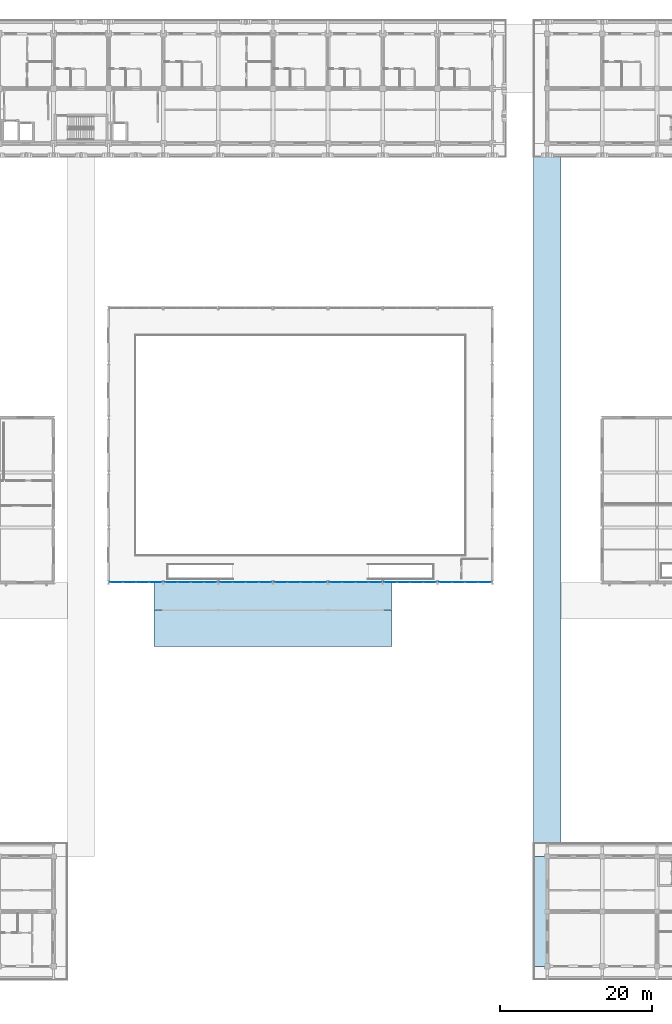
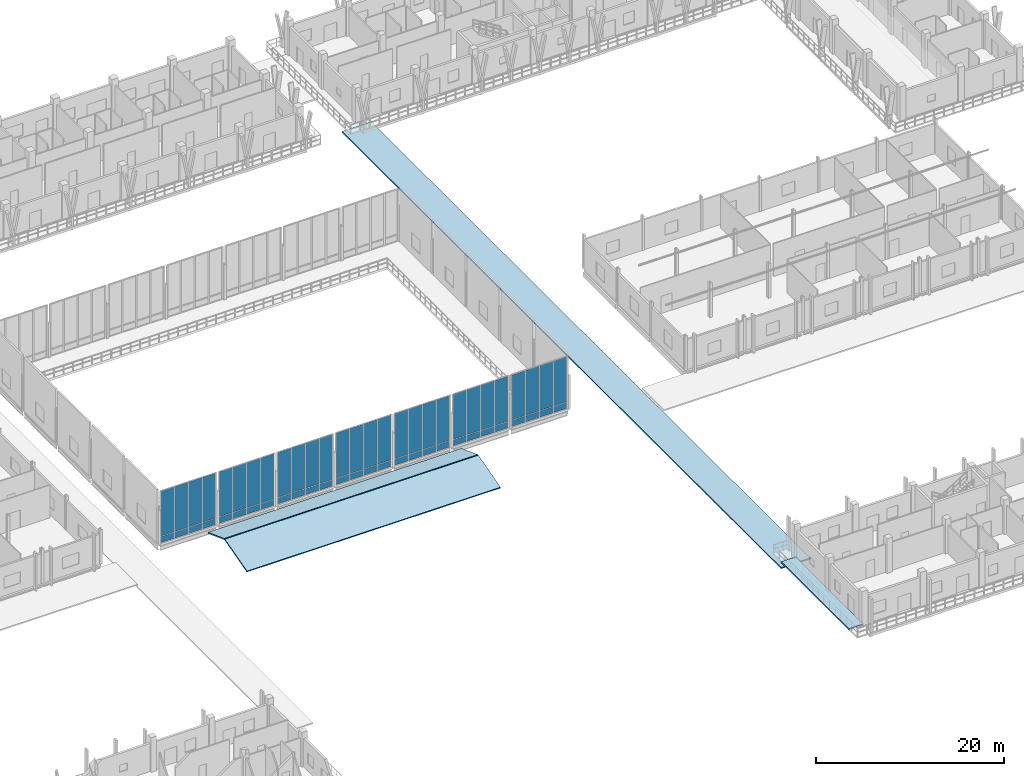
# One storey, part 57 of 110: 56 plates, 4 slabs, 7 elements without a shape of their own.
"""IFC4 building model written with IfcOpenShell, lengths in metres."""

from ifc_helpers import new_model, si_unit, direction, frame, origin, origin_2d, place, context, subcontext, project, spatial, polyline, rectangle, outline, extrude, material, layer, layer_set, type_object, element, aggregate, save


model = new_model("IFC4")

# Units and contexts
model_context = context("Model", 3, precision=1e-05, world=origin(), true_north=direction((0.0, 1.0)))
body_context = subcontext(model_context, "Body", "Model", "MODEL_VIEW")
ifc_project = project(units=[si_unit("LENGTHUNIT", "METRE"), si_unit("AREAUNIT", "SQUARE_METRE"), si_unit("VOLUMEUNIT", "CUBIC_METRE"), si_unit("PLANEANGLEUNIT", "RADIAN"), si_unit("MASSUNIT", "GRAM", prefix="KILO")], contexts=[model_context])

# Site, building, storey
site_placement = place(None, origin())
site = spatial("IfcSite", under=ifc_project, at=site_placement, CompositionType="ELEMENT")
building_placement = place(site_placement, origin())
building = spatial("IfcBuilding", under=site, at=building_placement, Name="Suanplinth Sawtooth Commons", CompositionType="ELEMENT")
storey_placement = place(building_placement, frame((0.0, 0.0, 4.5)))
storey = spatial("IfcBuildingStorey", under=building, at=storey_placement, Name="L01", CompositionType="ELEMENT", Elevation=4.5)

# Curtain wall, plates
ifc_material_1 = material(Name="Anodized aluminium and low-E glazing", Category="aluminium")
curtain_wall_type = type_object("IfcCurtainWallType", Name="CW-01", PredefinedType="USERDEFINED", material=ifc_material_1)
curtain_wall_1_placement = place(storey_placement, origin())
curtain_wall_1 = element("IfcCurtainWall", 1, at=curtain_wall_1_placement, inside=storey, type_object=curtain_wall_type, Name="Curtain Wall CW-L01-HALL-S-1", ObjectType="CURTAIN WALL", PredefinedType="USERDEFINED")
ifc_material_2 = material(Name="Laminated solar-control acoustic glazing", Category="glass")
ifc_layer_1 = layer(ifc_material_2, 0.031982421875, Name="Acoustic laminated vision glazing panel 32mm")
ifc_layer_set_1 = layer_set([ifc_layer_1], Name="Laminated solar-control acoustic glazing")
plate_type_1 = type_object("IfcPlateType", Name="PL-06", PredefinedType="CURTAIN_PANEL", material=ifc_layer_set_1)
plate_1_placement = place(storey_placement, frame((73.03125, 50.39990234375, 0.074951171875), z_axis=(0.0, 0.0, 1.0), x_axis=(1.0, 0.0, 0.0)))
plate_1 = element("IfcPlate", 2, at=plate_1_placement, type_object=plate_type_1, Name="CW-01 panel 1.1", PredefinedType="CURTAIN_PANEL", context=body_context, shape_type="SweptSolid", body=[
    extrude(rectangle(XDim=1.612548828125, YDim=0.031982421875, at=origin_2d()), origin(), (0.0, 0.0, 1.0), 0.78759765625),
])
plate_2_placement = place(storey_placement, frame((73.03125, 50.39990234375, 0.9375), z_axis=(0.0, 0.0, 1.0), x_axis=(1.0, 0.0, 0.0)))
plate_2 = element("IfcPlate", 3, at=plate_2_placement, type_object=plate_type_1, Name="CW-01 panel 1.2", PredefinedType="CURTAIN_PANEL", context=body_context, shape_type="SweptSolid", body=[
    extrude(rectangle(XDim=1.612548828125, YDim=0.031982421875, at=origin_2d()), origin(), (0.0, 0.0, 1.0), 5.83740234375),
])
plate_3_placement = place(storey_placement, frame((74.737548828125, 50.39990234375, 0.074951171875), z_axis=(0.0, 0.0, 1.0), x_axis=(1.0, 0.0, 0.0)))
plate_3 = element("IfcPlate", 4, at=plate_3_placement, type_object=plate_type_1, Name="CW-01 panel 2.1", PredefinedType="CURTAIN_PANEL", context=body_context, shape_type="SweptSolid", body=[
    extrude(rectangle(XDim=1.64990234375, YDim=0.031982421875, at=origin_2d()), origin(), (0.0, 0.0, 1.0), 0.78759765625),
])
plate_4_placement = place(storey_placement, frame((74.737548828125, 50.39990234375, 0.9375), z_axis=(0.0, 0.0, 1.0), x_axis=(1.0, 0.0, 0.0)))
plate_4 = element("IfcPlate", 5, at=plate_4_placement, type_object=plate_type_1, Name="CW-01 panel 2.2", PredefinedType="CURTAIN_PANEL", context=body_context, shape_type="SweptSolid", body=[
    extrude(rectangle(XDim=1.64990234375, YDim=0.031982421875, at=origin_2d()), origin(), (0.0, 0.0, 1.0), 5.83740234375),
])
plate_5_placement = place(storey_placement, frame((76.46240234375, 50.39990234375, 0.074951171875), z_axis=(0.0, 0.0, 1.0), x_axis=(1.0, 0.0, 0.0)))
plate_5 = element("IfcPlate", 6, at=plate_5_placement, type_object=plate_type_1, Name="CW-01 panel 3.1", PredefinedType="CURTAIN_PANEL", context=body_context, shape_type="SweptSolid", body=[
    extrude(rectangle(XDim=1.64990234375, YDim=0.031982421875, at=origin_2d()), origin(), (0.0, 0.0, 1.0), 0.78759765625),
])
plate_6_placement = place(storey_placement, frame((76.46240234375, 50.39990234375, 0.9375), z_axis=(0.0, 0.0, 1.0), x_axis=(1.0, 0.0, 0.0)))
plate_6 = element("IfcPlate", 7, at=plate_6_placement, type_object=plate_type_1, Name="CW-01 panel 3.2", PredefinedType="CURTAIN_PANEL", context=body_context, shape_type="SweptSolid", body=[
    extrude(rectangle(XDim=1.64990234375, YDim=0.031982421875, at=origin_2d()), origin(), (0.0, 0.0, 1.0), 5.83740234375),
])
plate_7_placement = place(storey_placement, frame((78.168701171875, 50.39990234375, 0.074951171875), z_axis=(0.0, 0.0, 1.0), x_axis=(1.0, 0.0, 0.0)))
plate_7 = element("IfcPlate", 8, at=plate_7_placement, type_object=plate_type_1, Name="CW-01 panel 4.1", PredefinedType="CURTAIN_PANEL", context=body_context, shape_type="SweptSolid", body=[
    extrude(rectangle(XDim=1.612548828125, YDim=0.031982421875, at=origin_2d()), origin(), (0.0, 0.0, 1.0), 0.78759765625),
])
plate_8_placement = place(storey_placement, frame((78.168701171875, 50.39990234375, 0.9375), z_axis=(0.0, 0.0, 1.0), x_axis=(1.0, 0.0, 0.0)))
plate_8 = element("IfcPlate", 9, at=plate_8_placement, type_object=plate_type_1, Name="CW-01 panel 4.2", PredefinedType="CURTAIN_PANEL", context=body_context, shape_type="SweptSolid", body=[
    extrude(rectangle(XDim=1.612548828125, YDim=0.031982421875, at=origin_2d()), origin(), (0.0, 0.0, 1.0), 5.83740234375),
])
aggregate(curtain_wall_1, [plate_1, plate_2, plate_3, plate_4, plate_5, plate_6, plate_7, plate_8])

curtain_wall_2_placement = place(storey_placement, origin())
curtain_wall_2 = element("IfcCurtainWall", 10, at=curtain_wall_2_placement, inside=storey, type_object=curtain_wall_type, Name="Curtain Wall CW-L01-HALL-S-2", ObjectType="CURTAIN WALL", PredefinedType="USERDEFINED")
plate_9_placement = place(storey_placement, frame((80.231201171875, 50.39990234375, 0.074951171875), z_axis=(0.0, 0.0, 1.0), x_axis=(1.0, 0.0, 0.0)))
plate_9 = element("IfcPlate", 11, at=plate_9_placement, type_object=plate_type_1, Name="CW-01 panel 1.1", PredefinedType="CURTAIN_PANEL", context=body_context, shape_type="SweptSolid", body=[
    extrude(rectangle(XDim=1.612548828125, YDim=0.031982421875, at=origin_2d()), origin(), (0.0, 0.0, 1.0), 0.78759765625),
])
plate_10_placement = place(storey_placement, frame((80.231201171875, 50.39990234375, 0.9375), z_axis=(0.0, 0.0, 1.0), x_axis=(1.0, 0.0, 0.0)))
plate_10 = element("IfcPlate", 12, at=plate_10_placement, type_object=plate_type_1, Name="CW-01 panel 1.2", PredefinedType="CURTAIN_PANEL", context=body_context, shape_type="SweptSolid", body=[
    extrude(rectangle(XDim=1.612548828125, YDim=0.031982421875, at=origin_2d()), origin(), (0.0, 0.0, 1.0), 5.83740234375),
])
plate_11_placement = place(storey_placement, frame((81.9375, 50.39990234375, 0.074951171875), z_axis=(0.0, 0.0, 1.0), x_axis=(1.0, 0.0, 0.0)))
plate_11 = element("IfcPlate", 13, at=plate_11_placement, type_object=plate_type_1, Name="CW-01 panel 2.1", PredefinedType="CURTAIN_PANEL", context=body_context, shape_type="SweptSolid", body=[
    extrude(rectangle(XDim=1.64990234375, YDim=0.031982421875, at=origin_2d()), origin(), (0.0, 0.0, 1.0), 0.78759765625),
])
plate_12_placement = place(storey_placement, frame((81.9375, 50.39990234375, 0.9375), z_axis=(0.0, 0.0, 1.0), x_axis=(1.0, 0.0, 0.0)))
plate_12 = element("IfcPlate", 14, at=plate_12_placement, type_object=plate_type_1, Name="CW-01 panel 2.2", PredefinedType="CURTAIN_PANEL", context=body_context, shape_type="SweptSolid", body=[
    extrude(rectangle(XDim=1.64990234375, YDim=0.031982421875, at=origin_2d()), origin(), (0.0, 0.0, 1.0), 5.83740234375),
])
plate_13_placement = place(storey_placement, frame((83.66259765625, 50.39990234375, 0.074951171875), z_axis=(0.0, 0.0, 1.0), x_axis=(1.0, 0.0, 0.0)))
plate_13 = element("IfcPlate", 15, at=plate_13_placement, type_object=plate_type_1, Name="CW-01 panel 3.1", PredefinedType="CURTAIN_PANEL", context=body_context, shape_type="SweptSolid", body=[
    extrude(rectangle(XDim=1.64990234375, YDim=0.031982421875, at=origin_2d()), origin(), (0.0, 0.0, 1.0), 0.78759765625),
])
plate_14_placement = place(storey_placement, frame((83.66259765625, 50.39990234375, 0.9375), z_axis=(0.0, 0.0, 1.0), x_axis=(1.0, 0.0, 0.0)))
plate_14 = element("IfcPlate", 16, at=plate_14_placement, type_object=plate_type_1, Name="CW-01 panel 3.2", PredefinedType="CURTAIN_PANEL", context=body_context, shape_type="SweptSolid", body=[
    extrude(rectangle(XDim=1.64990234375, YDim=0.031982421875, at=origin_2d()), origin(), (0.0, 0.0, 1.0), 5.83740234375),
])
plate_15_placement = place(storey_placement, frame((85.36865234375, 50.39990234375, 0.074951171875), z_axis=(0.0, 0.0, 1.0), x_axis=(1.0, 0.0, 0.0)))
plate_15 = element("IfcPlate", 17, at=plate_15_placement, type_object=plate_type_1, Name="CW-01 panel 4.1", PredefinedType="CURTAIN_PANEL", context=body_context, shape_type="SweptSolid", body=[
    extrude(rectangle(XDim=1.612548828125, YDim=0.031982421875, at=origin_2d()), origin(), (0.0, 0.0, 1.0), 0.78759765625),
])
plate_16_placement = place(storey_placement, frame((85.36865234375, 50.39990234375, 0.9375), z_axis=(0.0, 0.0, 1.0), x_axis=(1.0, 0.0, 0.0)))
plate_16 = element("IfcPlate", 18, at=plate_16_placement, type_object=plate_type_1, Name="CW-01 panel 4.2", PredefinedType="CURTAIN_PANEL", context=body_context, shape_type="SweptSolid", body=[
    extrude(rectangle(XDim=1.612548828125, YDim=0.031982421875, at=origin_2d()), origin(), (0.0, 0.0, 1.0), 5.83740234375),
])
aggregate(curtain_wall_2, [plate_9, plate_10, plate_11, plate_12, plate_13, plate_14, plate_15, plate_16])

curtain_wall_3_placement = place(storey_placement, origin())
curtain_wall_3 = element("IfcCurtainWall", 19, at=curtain_wall_3_placement, inside=storey, type_object=curtain_wall_type, Name="Curtain Wall CW-L01-HALL-S-3", ObjectType="CURTAIN WALL", PredefinedType="USERDEFINED")
plate_17_placement = place(storey_placement, frame((87.43115234375, 50.39990234375, 0.074951171875), z_axis=(0.0, 0.0, 1.0), x_axis=(1.0, 0.0, 0.0)))
plate_17 = element("IfcPlate", 20, at=plate_17_placement, type_object=plate_type_1, Name="CW-01 panel 1.1", PredefinedType="CURTAIN_PANEL", context=body_context, shape_type="SweptSolid", body=[
    extrude(rectangle(XDim=1.612548828125, YDim=0.031982421875, at=origin_2d()), origin(), (0.0, 0.0, 1.0), 0.78759765625),
])
plate_18_placement = place(storey_placement, frame((87.43115234375, 50.39990234375, 0.9375), z_axis=(0.0, 0.0, 1.0), x_axis=(1.0, 0.0, 0.0)))
plate_18 = element("IfcPlate", 21, at=plate_18_placement, type_object=plate_type_1, Name="CW-01 panel 1.2", PredefinedType="CURTAIN_PANEL", context=body_context, shape_type="SweptSolid", body=[
    extrude(rectangle(XDim=1.612548828125, YDim=0.031982421875, at=origin_2d()), origin(), (0.0, 0.0, 1.0), 5.83740234375),
])
plate_19_placement = place(storey_placement, frame((89.137451171875, 50.39990234375, 0.074951171875), z_axis=(0.0, 0.0, 1.0), x_axis=(1.0, 0.0, 0.0)))
plate_19 = element("IfcPlate", 22, at=plate_19_placement, type_object=plate_type_1, Name="CW-01 panel 2.1", PredefinedType="CURTAIN_PANEL", context=body_context, shape_type="SweptSolid", body=[
    extrude(rectangle(XDim=1.64990234375, YDim=0.031982421875, at=origin_2d()), origin(), (0.0, 0.0, 1.0), 0.78759765625),
])
plate_20_placement = place(storey_placement, frame((89.137451171875, 50.39990234375, 0.9375), z_axis=(0.0, 0.0, 1.0), x_axis=(1.0, 0.0, 0.0)))
plate_20 = element("IfcPlate", 23, at=plate_20_placement, type_object=plate_type_1, Name="CW-01 panel 2.2", PredefinedType="CURTAIN_PANEL", context=body_context, shape_type="SweptSolid", body=[
    extrude(rectangle(XDim=1.64990234375, YDim=0.031982421875, at=origin_2d()), origin(), (0.0, 0.0, 1.0), 5.83740234375),
])
plate_21_placement = place(storey_placement, frame((90.862548828125, 50.39990234375, 0.074951171875), z_axis=(0.0, 0.0, 1.0), x_axis=(1.0, 0.0, 0.0)))
plate_21 = element("IfcPlate", 24, at=plate_21_placement, type_object=plate_type_1, Name="CW-01 panel 3.1", PredefinedType="CURTAIN_PANEL", context=body_context, shape_type="SweptSolid", body=[
    extrude(rectangle(XDim=1.64990234375, YDim=0.031982421875, at=origin_2d()), origin(), (0.0, 0.0, 1.0), 0.78759765625),
])
plate_22_placement = place(storey_placement, frame((90.862548828125, 50.39990234375, 0.9375), z_axis=(0.0, 0.0, 1.0), x_axis=(1.0, 0.0, 0.0)))
plate_22 = element("IfcPlate", 25, at=plate_22_placement, type_object=plate_type_1, Name="CW-01 panel 3.2", PredefinedType="CURTAIN_PANEL", context=body_context, shape_type="SweptSolid", body=[
    extrude(rectangle(XDim=1.64990234375, YDim=0.031982421875, at=origin_2d()), origin(), (0.0, 0.0, 1.0), 5.83740234375),
])
plate_23_placement = place(storey_placement, frame((92.56884765625, 50.39990234375, 0.074951171875), z_axis=(0.0, 0.0, 1.0), x_axis=(1.0, 0.0, 0.0)))
plate_23 = element("IfcPlate", 26, at=plate_23_placement, type_object=plate_type_1, Name="CW-01 panel 4.1", PredefinedType="CURTAIN_PANEL", context=body_context, shape_type="SweptSolid", body=[
    extrude(rectangle(XDim=1.612548828125, YDim=0.031982421875, at=origin_2d()), origin(), (0.0, 0.0, 1.0), 0.78759765625),
])
plate_24_placement = place(storey_placement, frame((92.56884765625, 50.39990234375, 0.9375), z_axis=(0.0, 0.0, 1.0), x_axis=(1.0, 0.0, 0.0)))
plate_24 = element("IfcPlate", 27, at=plate_24_placement, type_object=plate_type_1, Name="CW-01 panel 4.2", PredefinedType="CURTAIN_PANEL", context=body_context, shape_type="SweptSolid", body=[
    extrude(rectangle(XDim=1.612548828125, YDim=0.031982421875, at=origin_2d()), origin(), (0.0, 0.0, 1.0), 5.83740234375),
])
aggregate(curtain_wall_3, [plate_17, plate_18, plate_19, plate_20, plate_21, plate_22, plate_23, plate_24])

curtain_wall_4_placement = place(storey_placement, origin())
curtain_wall_4 = element("IfcCurtainWall", 28, at=curtain_wall_4_placement, inside=storey, type_object=curtain_wall_type, Name="Curtain Wall CW-L01-HALL-S-4", ObjectType="CURTAIN WALL", PredefinedType="USERDEFINED")
plate_25_placement = place(storey_placement, frame((94.63134765625, 50.39990234375, 0.074951171875), z_axis=(0.0, 0.0, 1.0), x_axis=(1.0, 0.0, 0.0)))
plate_25 = element("IfcPlate", 29, at=plate_25_placement, type_object=plate_type_1, Name="CW-01 panel 1.1", PredefinedType="CURTAIN_PANEL", context=body_context, shape_type="SweptSolid", body=[
    extrude(rectangle(XDim=1.612548828125, YDim=0.031982421875, at=origin_2d()), origin(), (0.0, 0.0, 1.0), 0.78759765625),
])
plate_26_placement = place(storey_placement, frame((94.63134765625, 50.39990234375, 0.9375), z_axis=(0.0, 0.0, 1.0), x_axis=(1.0, 0.0, 0.0)))
plate_26 = element("IfcPlate", 30, at=plate_26_placement, type_object=plate_type_1, Name="CW-01 panel 1.2", PredefinedType="CURTAIN_PANEL", context=body_context, shape_type="SweptSolid", body=[
    extrude(rectangle(XDim=1.612548828125, YDim=0.031982421875, at=origin_2d()), origin(), (0.0, 0.0, 1.0), 5.83740234375),
])
plate_27_placement = place(storey_placement, frame((96.33740234375, 50.39990234375, 0.074951171875), z_axis=(0.0, 0.0, 1.0), x_axis=(1.0, 0.0, 0.0)))
plate_27 = element("IfcPlate", 31, at=plate_27_placement, type_object=plate_type_1, Name="CW-01 panel 2.1", PredefinedType="CURTAIN_PANEL", context=body_context, shape_type="SweptSolid", body=[
    extrude(rectangle(XDim=1.64990234375, YDim=0.031982421875, at=origin_2d()), origin(), (0.0, 0.0, 1.0), 0.78759765625),
])
plate_28_placement = place(storey_placement, frame((96.33740234375, 50.39990234375, 0.9375), z_axis=(0.0, 0.0, 1.0), x_axis=(1.0, 0.0, 0.0)))
plate_28 = element("IfcPlate", 32, at=plate_28_placement, type_object=plate_type_1, Name="CW-01 panel 2.2", PredefinedType="CURTAIN_PANEL", context=body_context, shape_type="SweptSolid", body=[
    extrude(rectangle(XDim=1.64990234375, YDim=0.031982421875, at=origin_2d()), origin(), (0.0, 0.0, 1.0), 5.83740234375),
])
plate_29_placement = place(storey_placement, frame((98.0625, 50.39990234375, 0.074951171875), z_axis=(0.0, 0.0, 1.0), x_axis=(1.0, 0.0, 0.0)))
plate_29 = element("IfcPlate", 33, at=plate_29_placement, type_object=plate_type_1, Name="CW-01 panel 3.1", PredefinedType="CURTAIN_PANEL", context=body_context, shape_type="SweptSolid", body=[
    extrude(rectangle(XDim=1.64990234375, YDim=0.031982421875, at=origin_2d()), origin(), (0.0, 0.0, 1.0), 0.78759765625),
])
plate_30_placement = place(storey_placement, frame((98.0625, 50.39990234375, 0.9375), z_axis=(0.0, 0.0, 1.0), x_axis=(1.0, 0.0, 0.0)))
plate_30 = element("IfcPlate", 34, at=plate_30_placement, type_object=plate_type_1, Name="CW-01 panel 3.2", PredefinedType="CURTAIN_PANEL", context=body_context, shape_type="SweptSolid", body=[
    extrude(rectangle(XDim=1.64990234375, YDim=0.031982421875, at=origin_2d()), origin(), (0.0, 0.0, 1.0), 5.83740234375),
])
plate_31_placement = place(storey_placement, frame((99.768798828125, 50.39990234375, 0.074951171875), z_axis=(0.0, 0.0, 1.0), x_axis=(1.0, 0.0, 0.0)))
plate_31 = element("IfcPlate", 35, at=plate_31_placement, type_object=plate_type_1, Name="CW-01 panel 4.1", PredefinedType="CURTAIN_PANEL", context=body_context, shape_type="SweptSolid", body=[
    extrude(rectangle(XDim=1.612548828125, YDim=0.031982421875, at=origin_2d()), origin(), (0.0, 0.0, 1.0), 0.78759765625),
])
plate_32_placement = place(storey_placement, frame((99.768798828125, 50.39990234375, 0.9375), z_axis=(0.0, 0.0, 1.0), x_axis=(1.0, 0.0, 0.0)))
plate_32 = element("IfcPlate", 36, at=plate_32_placement, type_object=plate_type_1, Name="CW-01 panel 4.2", PredefinedType="CURTAIN_PANEL", context=body_context, shape_type="SweptSolid", body=[
    extrude(rectangle(XDim=1.612548828125, YDim=0.031982421875, at=origin_2d()), origin(), (0.0, 0.0, 1.0), 5.83740234375),
])
aggregate(curtain_wall_4, [plate_25, plate_26, plate_27, plate_28, plate_29, plate_30, plate_31, plate_32])

curtain_wall_5_placement = place(storey_placement, origin())
curtain_wall_5 = element("IfcCurtainWall", 37, at=curtain_wall_5_placement, inside=storey, type_object=curtain_wall_type, Name="Curtain Wall CW-L01-HALL-S-5", ObjectType="CURTAIN WALL", PredefinedType="USERDEFINED")
plate_33_placement = place(storey_placement, frame((101.831298828125, 50.39990234375, 0.074951171875), z_axis=(0.0, 0.0, 1.0), x_axis=(1.0, 0.0, 0.0)))
plate_33 = element("IfcPlate", 38, at=plate_33_placement, type_object=plate_type_1, Name="CW-01 panel 1.1", PredefinedType="CURTAIN_PANEL", context=body_context, shape_type="SweptSolid", body=[
    extrude(rectangle(XDim=1.612548828125, YDim=0.031982421875, at=origin_2d()), origin(), (0.0, 0.0, 1.0), 0.78759765625),
])
plate_34_placement = place(storey_placement, frame((101.831298828125, 50.39990234375, 0.9375), z_axis=(0.0, 0.0, 1.0), x_axis=(1.0, 0.0, 0.0)))
plate_34 = element("IfcPlate", 39, at=plate_34_placement, type_object=plate_type_1, Name="CW-01 panel 1.2", PredefinedType="CURTAIN_PANEL", context=body_context, shape_type="SweptSolid", body=[
    extrude(rectangle(XDim=1.612548828125, YDim=0.031982421875, at=origin_2d()), origin(), (0.0, 0.0, 1.0), 5.83740234375),
])
plate_35_placement = place(storey_placement, frame((103.53759765625, 50.39990234375, 0.074951171875), z_axis=(0.0, 0.0, 1.0), x_axis=(1.0, 0.0, 0.0)))
plate_35 = element("IfcPlate", 40, at=plate_35_placement, type_object=plate_type_1, Name="CW-01 panel 2.1", PredefinedType="CURTAIN_PANEL", context=body_context, shape_type="SweptSolid", body=[
    extrude(rectangle(XDim=1.64990234375, YDim=0.031982421875, at=origin_2d()), origin(), (0.0, 0.0, 1.0), 0.78759765625),
])
plate_36_placement = place(storey_placement, frame((103.53759765625, 50.39990234375, 0.9375), z_axis=(0.0, 0.0, 1.0), x_axis=(1.0, 0.0, 0.0)))
plate_36 = element("IfcPlate", 41, at=plate_36_placement, type_object=plate_type_1, Name="CW-01 panel 2.2", PredefinedType="CURTAIN_PANEL", context=body_context, shape_type="SweptSolid", body=[
    extrude(rectangle(XDim=1.64990234375, YDim=0.031982421875, at=origin_2d()), origin(), (0.0, 0.0, 1.0), 5.83740234375),
])
plate_37_placement = place(storey_placement, frame((105.262451171875, 50.39990234375, 0.074951171875), z_axis=(0.0, 0.0, 1.0), x_axis=(1.0, 0.0, 0.0)))
plate_37 = element("IfcPlate", 42, at=plate_37_placement, type_object=plate_type_1, Name="CW-01 panel 3.1", PredefinedType="CURTAIN_PANEL", context=body_context, shape_type="SweptSolid", body=[
    extrude(rectangle(XDim=1.64990234375, YDim=0.031982421875, at=origin_2d()), origin(), (0.0, 0.0, 1.0), 0.78759765625),
])
plate_38_placement = place(storey_placement, frame((105.262451171875, 50.39990234375, 0.9375), z_axis=(0.0, 0.0, 1.0), x_axis=(1.0, 0.0, 0.0)))
plate_38 = element("IfcPlate", 43, at=plate_38_placement, type_object=plate_type_1, Name="CW-01 panel 3.2", PredefinedType="CURTAIN_PANEL", context=body_context, shape_type="SweptSolid", body=[
    extrude(rectangle(XDim=1.64990234375, YDim=0.031982421875, at=origin_2d()), origin(), (0.0, 0.0, 1.0), 5.83740234375),
])
plate_39_placement = place(storey_placement, frame((106.96875, 50.39990234375, 0.074951171875), z_axis=(0.0, 0.0, 1.0), x_axis=(1.0, 0.0, 0.0)))
plate_39 = element("IfcPlate", 44, at=plate_39_placement, type_object=plate_type_1, Name="CW-01 panel 4.1", PredefinedType="CURTAIN_PANEL", context=body_context, shape_type="SweptSolid", body=[
    extrude(rectangle(XDim=1.612548828125, YDim=0.031982421875, at=origin_2d()), origin(), (0.0, 0.0, 1.0), 0.78759765625),
])
plate_40_placement = place(storey_placement, frame((106.96875, 50.39990234375, 0.9375), z_axis=(0.0, 0.0, 1.0), x_axis=(1.0, 0.0, 0.0)))
plate_40 = element("IfcPlate", 45, at=plate_40_placement, type_object=plate_type_1, Name="CW-01 panel 4.2", PredefinedType="CURTAIN_PANEL", context=body_context, shape_type="SweptSolid", body=[
    extrude(rectangle(XDim=1.612548828125, YDim=0.031982421875, at=origin_2d()), origin(), (0.0, 0.0, 1.0), 5.83740234375),
])
aggregate(curtain_wall_5, [plate_33, plate_34, plate_35, plate_36, plate_37, plate_38, plate_39, plate_40])

curtain_wall_6_placement = place(storey_placement, origin())
curtain_wall_6 = element("IfcCurtainWall", 46, at=curtain_wall_6_placement, inside=storey, type_object=curtain_wall_type, Name="Curtain Wall CW-L01-HALL-S-6", ObjectType="CURTAIN WALL", PredefinedType="USERDEFINED")
plate_41_placement = place(storey_placement, frame((109.03125, 50.39990234375, 0.074951171875), z_axis=(0.0, 0.0, 1.0), x_axis=(1.0, 0.0, 0.0)))
plate_41 = element("IfcPlate", 47, at=plate_41_placement, type_object=plate_type_1, Name="CW-01 panel 1.1", PredefinedType="CURTAIN_PANEL", context=body_context, shape_type="SweptSolid", body=[
    extrude(rectangle(XDim=1.612548828125, YDim=0.031982421875, at=origin_2d()), origin(), (0.0, 0.0, 1.0), 0.78759765625),
])
plate_42_placement = place(storey_placement, frame((109.03125, 50.39990234375, 0.9375), z_axis=(0.0, 0.0, 1.0), x_axis=(1.0, 0.0, 0.0)))
plate_42 = element("IfcPlate", 48, at=plate_42_placement, type_object=plate_type_1, Name="CW-01 panel 1.2", PredefinedType="CURTAIN_PANEL", context=body_context, shape_type="SweptSolid", body=[
    extrude(rectangle(XDim=1.612548828125, YDim=0.031982421875, at=origin_2d()), origin(), (0.0, 0.0, 1.0), 5.83740234375),
])
plate_43_placement = place(storey_placement, frame((110.737548828125, 50.39990234375, 0.074951171875), z_axis=(0.0, 0.0, 1.0), x_axis=(1.0, 0.0, 0.0)))
plate_43 = element("IfcPlate", 49, at=plate_43_placement, type_object=plate_type_1, Name="CW-01 panel 2.1", PredefinedType="CURTAIN_PANEL", context=body_context, shape_type="SweptSolid", body=[
    extrude(rectangle(XDim=1.64990234375, YDim=0.031982421875, at=origin_2d()), origin(), (0.0, 0.0, 1.0), 0.78759765625),
])
plate_44_placement = place(storey_placement, frame((110.737548828125, 50.39990234375, 0.9375), z_axis=(0.0, 0.0, 1.0), x_axis=(1.0, 0.0, 0.0)))
plate_44 = element("IfcPlate", 50, at=plate_44_placement, type_object=plate_type_1, Name="CW-01 panel 2.2", PredefinedType="CURTAIN_PANEL", context=body_context, shape_type="SweptSolid", body=[
    extrude(rectangle(XDim=1.64990234375, YDim=0.031982421875, at=origin_2d()), origin(), (0.0, 0.0, 1.0), 5.83740234375),
])
plate_45_placement = place(storey_placement, frame((112.46240234375, 50.39990234375, 0.074951171875), z_axis=(0.0, 0.0, 1.0), x_axis=(1.0, 0.0, 0.0)))
plate_45 = element("IfcPlate", 51, at=plate_45_placement, type_object=plate_type_1, Name="CW-01 panel 3.1", PredefinedType="CURTAIN_PANEL", context=body_context, shape_type="SweptSolid", body=[
    extrude(rectangle(XDim=1.64990234375, YDim=0.031982421875, at=origin_2d()), origin(), (0.0, 0.0, 1.0), 0.78759765625),
])
plate_46_placement = place(storey_placement, frame((112.46240234375, 50.39990234375, 0.9375), z_axis=(0.0, 0.0, 1.0), x_axis=(1.0, 0.0, 0.0)))
plate_46 = element("IfcPlate", 52, at=plate_46_placement, type_object=plate_type_1, Name="CW-01 panel 3.2", PredefinedType="CURTAIN_PANEL", context=body_context, shape_type="SweptSolid", body=[
    extrude(rectangle(XDim=1.64990234375, YDim=0.031982421875, at=origin_2d()), origin(), (0.0, 0.0, 1.0), 5.83740234375),
])
plate_47_placement = place(storey_placement, frame((114.168701171875, 50.39990234375, 0.074951171875), z_axis=(0.0, 0.0, 1.0), x_axis=(1.0, 0.0, 0.0)))
plate_47 = element("IfcPlate", 53, at=plate_47_placement, type_object=plate_type_1, Name="CW-01 panel 4.1", PredefinedType="CURTAIN_PANEL", context=body_context, shape_type="SweptSolid", body=[
    extrude(rectangle(XDim=1.612548828125, YDim=0.031982421875, at=origin_2d()), origin(), (0.0, 0.0, 1.0), 0.78759765625),
])
plate_48_placement = place(storey_placement, frame((114.168701171875, 50.39990234375, 0.9375), z_axis=(0.0, 0.0, 1.0), x_axis=(1.0, 0.0, 0.0)))
plate_48 = element("IfcPlate", 54, at=plate_48_placement, type_object=plate_type_1, Name="CW-01 panel 4.2", PredefinedType="CURTAIN_PANEL", context=body_context, shape_type="SweptSolid", body=[
    extrude(rectangle(XDim=1.612548828125, YDim=0.031982421875, at=origin_2d()), origin(), (0.0, 0.0, 1.0), 5.83740234375),
])
aggregate(curtain_wall_6, [plate_41, plate_42, plate_43, plate_44, plate_45, plate_46, plate_47, plate_48])

curtain_wall_7_placement = place(storey_placement, origin())
curtain_wall_7 = element("IfcCurtainWall", 55, at=curtain_wall_7_placement, inside=storey, type_object=curtain_wall_type, Name="Curtain Wall CW-L01-HALL-S-0", ObjectType="CURTAIN WALL", PredefinedType="USERDEFINED")
ifc_material_3 = material(Name="Insulated anodized aluminium spandrel panel", Category="aluminium")
ifc_layer_2 = layer(ifc_material_3, 0.0400390625, Name="Insulated shadow-box spandrel panel 40mm")
ifc_layer_set_2 = layer_set([ifc_layer_2], Name="Insulated anodized aluminium spandrel panel")
plate_type_2 = type_object("IfcPlateType", Name="PL-08", PredefinedType="CURTAIN_PANEL", material=ifc_layer_set_2)
plate_49_placement = place(storey_placement, frame((65.831298828125, 50.39990234375, 0.074951171875), z_axis=(0.0, 0.0, 1.0), x_axis=(1.0, 0.0, 0.0)))
plate_49 = element("IfcPlate", 56, at=plate_49_placement, type_object=plate_type_2, Name="CW-01 panel 1.1", PredefinedType="CURTAIN_PANEL", context=body_context, shape_type="SweptSolid", body=[
    extrude(rectangle(XDim=1.612548828125, YDim=0.0400390625, at=origin_2d()), origin(), (0.0, 0.0, 1.0), 0.78759765625),
])
plate_50_placement = place(storey_placement, frame((65.831298828125, 50.39990234375, 0.9375), z_axis=(0.0, 0.0, 1.0), x_axis=(1.0, 0.0, 0.0)))
plate_50 = element("IfcPlate", 57, at=plate_50_placement, type_object=plate_type_2, Name="CW-01 panel 1.2", PredefinedType="CURTAIN_PANEL", context=body_context, shape_type="SweptSolid", body=[
    extrude(rectangle(XDim=1.612548828125, YDim=0.0400390625, at=origin_2d()), origin(), (0.0, 0.0, 1.0), 5.83740234375),
])
plate_51_placement = place(storey_placement, frame((67.53759765625, 50.39990234375, 0.074951171875), z_axis=(0.0, 0.0, 1.0), x_axis=(1.0, 0.0, 0.0)))
plate_51 = element("IfcPlate", 58, at=plate_51_placement, type_object=plate_type_2, Name="CW-01 panel 2.1", PredefinedType="CURTAIN_PANEL", context=body_context, shape_type="SweptSolid", body=[
    extrude(rectangle(XDim=1.64990234375, YDim=0.0400390625, at=origin_2d()), origin(), (0.0, 0.0, 1.0), 0.78759765625),
])
plate_52_placement = place(storey_placement, frame((67.53759765625, 50.39990234375, 0.9375), z_axis=(0.0, 0.0, 1.0), x_axis=(1.0, 0.0, 0.0)))
plate_52 = element("IfcPlate", 59, at=plate_52_placement, type_object=plate_type_2, Name="CW-01 panel 2.2", PredefinedType="CURTAIN_PANEL", context=body_context, shape_type="SweptSolid", body=[
    extrude(rectangle(XDim=1.64990234375, YDim=0.0400390625, at=origin_2d()), origin(), (0.0, 0.0, 1.0), 5.83740234375),
])
plate_53_placement = place(storey_placement, frame((69.262451171875, 50.39990234375, 0.074951171875), z_axis=(0.0, 0.0, 1.0), x_axis=(1.0, 0.0, 0.0)))
plate_53 = element("IfcPlate", 60, at=plate_53_placement, type_object=plate_type_2, Name="CW-01 panel 3.1", PredefinedType="CURTAIN_PANEL", context=body_context, shape_type="SweptSolid", body=[
    extrude(rectangle(XDim=1.64990234375, YDim=0.0400390625, at=origin_2d()), origin(), (0.0, 0.0, 1.0), 0.78759765625),
])
plate_54_placement = place(storey_placement, frame((69.262451171875, 50.39990234375, 0.9375), z_axis=(0.0, 0.0, 1.0), x_axis=(1.0, 0.0, 0.0)))
plate_54 = element("IfcPlate", 61, at=plate_54_placement, type_object=plate_type_2, Name="CW-01 panel 3.2", PredefinedType="CURTAIN_PANEL", context=body_context, shape_type="SweptSolid", body=[
    extrude(rectangle(XDim=1.64990234375, YDim=0.0400390625, at=origin_2d()), origin(), (0.0, 0.0, 1.0), 5.83740234375),
])
plate_55_placement = place(storey_placement, frame((70.96875, 50.39990234375, 0.074951171875), z_axis=(0.0, 0.0, 1.0), x_axis=(1.0, 0.0, 0.0)))
plate_55 = element("IfcPlate", 62, at=plate_55_placement, type_object=plate_type_2, Name="CW-01 panel 4.1", PredefinedType="CURTAIN_PANEL", context=body_context, shape_type="SweptSolid", body=[
    extrude(rectangle(XDim=1.612548828125, YDim=0.0400390625, at=origin_2d()), origin(), (0.0, 0.0, 1.0), 0.78759765625),
])
plate_56_placement = place(storey_placement, frame((70.96875, 50.39990234375, 0.9375), z_axis=(0.0, 0.0, 1.0), x_axis=(1.0, 0.0, 0.0)))
plate_56 = element("IfcPlate", 63, at=plate_56_placement, type_object=plate_type_2, Name="CW-01 panel 4.2", PredefinedType="CURTAIN_PANEL", context=body_context, shape_type="SweptSolid", body=[
    extrude(rectangle(XDim=1.612548828125, YDim=0.0400390625, at=origin_2d()), origin(), (0.0, 0.0, 1.0), 5.83740234375),
])
aggregate(curtain_wall_7, [plate_49, plate_50, plate_51, plate_52, plate_53, plate_54, plate_55, plate_56])

# Slabs
ifc_material_4 = material(Name="Precast concrete C40/50", Category="concrete")
ifc_layer_3 = layer(ifc_material_4, 0.179931640625, Name="Wrap-around cantilevered precast balcony slab 180mm")
ifc_layer_set_3 = layer_set([ifc_layer_3], Name="Precast concrete C40/50")
slab_type_1 = type_object("IfcSlabType", Name="S-BL01", PredefinedType="FLOOR", material=ifc_layer_set_3)
slab_1_placement = place(storey_placement, frame((0.0, 0.0, -0.179931640625)))
element("IfcSlab", 64, at=slab_1_placement, inside=storey, type_object=slab_type_1, Name="L01 Block C Wrap-Around Balcony WEND", PredefinedType="FLOOR", context=body_context, shape_type="SweptSolid", body=[
    extrude(outline(polyline([(122.39990234375, 0.0), (120.60009765625, 0.0), (120.60009765625, 14.39990234375), (122.39990234375, 14.39990234375), (122.39990234375, 0.0)])), origin(), (0.0, 0.0, 1.0), 0.179931640625),
])
ifc_material_5 = material(Name="Concrete C35/45", Category="concrete")
ifc_layer_4 = layer(ifc_material_5, 0.159912109375, Name="Market gable & breezeway canopy roof slab 160mm")
ifc_layer_set_4 = layer_set([ifc_layer_4], Name="Concrete C35/45")
slab_type_2 = type_object("IfcSlabType", Name="S-RF03", PredefinedType="ROOF", material=ifc_layer_set_4)
slab_2_placement = place(storey_placement, frame((0.0, 0.0, -0.949951171875)))
element("IfcSlab", 65, at=slab_2_placement, inside=storey, type_object=slab_type_2, Name="East Courtyard Tropical Breezeway Canopy", PredefinedType="ROOF", context=body_context, shape_type="SweptSolid", body=[
    extrude(outline(polyline([(120.60009765625, 14.39990234375), (124.199951171875, 14.39990234375), (124.199951171875, 108.0), (120.60009765625, 108.0), (120.60009765625, 14.39990234375)])), origin(), (0.0, 0.0, 1.0), 0.159912109375),
])
slab_3_placement = place(storey_placement, frame((70.800048828125, 42.0, -0.550048828125), z_axis=(0.0, -0.264504132799, 0.964384551791), x_axis=(1.0, 0.0, 0.0)))
element("IfcSlab", 66, at=slab_3_placement, inside=storey, type_object=slab_type_2, Name="South Metro Forecourt Entrance Canopy South Slope", PredefinedType="ROOF", context=body_context, shape_type="SweptSolid", body=[
    extrude(outline(polyline([(0.0, 0.0), (31.199951171875, 0.0), (31.199951171875, 4.91504164554885), (0.0, 4.91504164554885), (0.0, 0.0)])), origin(), (0.0, 0.0, -1.0), 0.159912109375),
])
slab_4_placement = place(storey_placement, frame((70.800048828125, 50.35009765625, -0.550048828125), z_axis=(0.0, 0.349075161482, 0.937094729276), x_axis=(1.0, 0.0, 0.0)))
element("IfcSlab", 67, at=slab_4_placement, inside=storey, type_object=slab_type_2, Name="South Metro Forecourt Entrance Canopy North Slope", PredefinedType="ROOF", context=body_context, shape_type="SweptSolid", body=[
    extrude(outline(polyline([(0.0, 0.0), (31.199951171875, 0.0), (31.199951171875, -3.7242662084687304), (0.0, -3.7242662084687304), (0.0, 0.0)])), origin(), (0.0, 0.0, -1.0), 0.159912109375),
])

save(model, "model.ifc")
